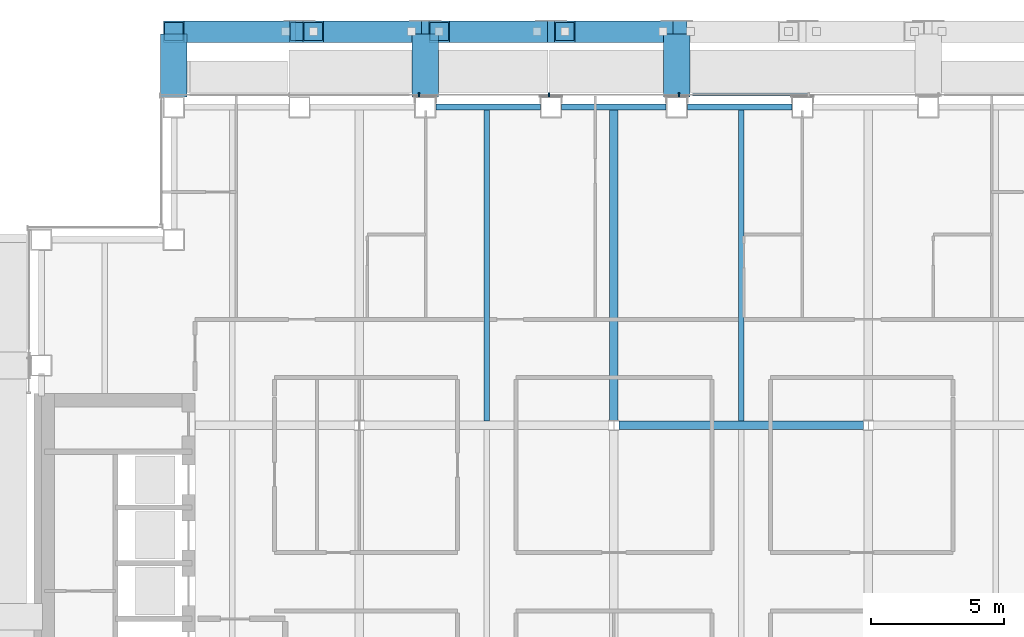
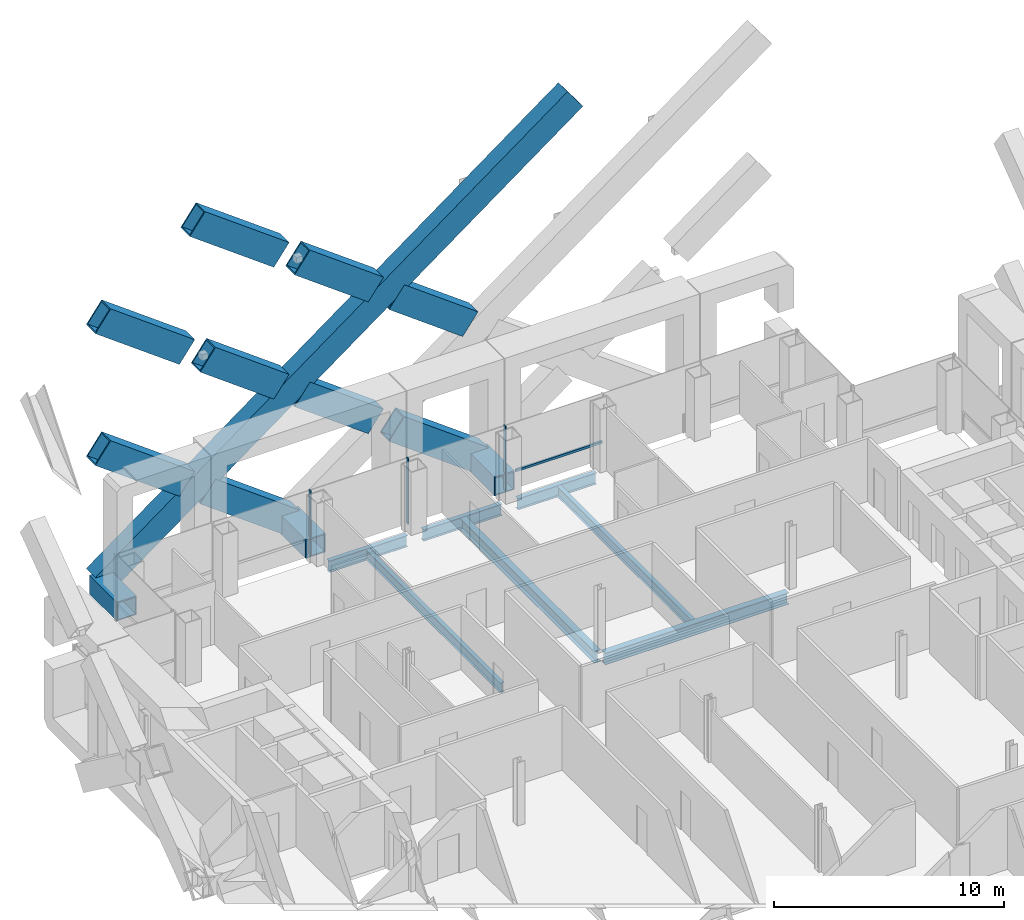
# One storey, part 9 of 25: 14 members, 10 beams, 1 element without a shape of its own.
"""IFC4 building model written with IfcOpenShell, lengths in metres."""

from ifc_helpers import new_model, si_unit, direction, frame, origin, origin_2d, place, context, subcontext, project, spatial, rectangle, hollow_rectangle, i_section, extrude, material, material_profile, profile_set, type_object, element, aggregate, save


model = new_model("IFC4")

# Units and contexts
model_context = context("Model", 3, precision=1e-05, world=origin(), true_north=direction((0.0, 1.0)))
body_context = subcontext(model_context, "Body", "Model", "MODEL_VIEW")
ifc_project = project(units=[si_unit("LENGTHUNIT", "METRE"), si_unit("AREAUNIT", "SQUARE_METRE"), si_unit("VOLUMEUNIT", "CUBIC_METRE"), si_unit("PLANEANGLEUNIT", "RADIAN"), si_unit("MASSUNIT", "GRAM", prefix="KILO")], contexts=[model_context])

# Site, building, storey
site_placement = place(None, origin())
site = spatial("IfcSite", under=ifc_project, at=site_placement, CompositionType="ELEMENT")
building_placement = place(site_placement, origin())
building = spatial("IfcBuilding", under=site, at=building_placement, Name="Cobrizo Arcos Hotel Tower", CompositionType="ELEMENT")
storey_placement = place(building_placement, frame((0.0, 0.0, 148.0)))
storey = spatial("IfcBuildingStorey", under=building, at=storey_placement, Name="L37", CompositionType="ELEMENT", Elevation=148.0)

# Beams
ifc_material_1 = material(Name="Steel ASTM A572 Grade 50", Category="steel")
ifc_material_profile_1 = material_profile(ifc_material_1, hollow_rectangle(XDim=1.0, YDim=1.0, WallThickness=0.06005859375, at=origin_2d()), Name="BOX 1000X1000X60")
ifc_profile_set_1 = profile_set([ifc_material_profile_1], Name="Steel ASTM A572 Grade 50")
beam_type_1 = type_object("IfcBeamType", Name="BOX 1000X1000X60 brace connector strut", PredefinedType="BEAM", material=ifc_profile_set_1)
for number, where, z_axis, x_axis, name in (
    (1, (2.371337890625, 21.989990234375, 0.5), (0.0, 1.0, 0.0), (-1.0, 0.0, 0.0), "Perimeter brace stub BS1, zone Z3, north face, offset +2.37 m, L37"),
    (2, (-7.1142578125, 21.989990234375, 0.5), (0.0, 1.0, 0.0), (-1.0, 0.0, 0.0), "Perimeter brace stub BS1, zone Z3, north face, offset -7.11 m, L37"),
    (3, (-16.60009765625, 21.989990234375, 0.5), (0.0, 1.0, 0.0), (-1.0, 0.0, 0.0), "Perimeter brace stub BS1, zone Z3, north face, offset -16.60 m, L37"),
):
    element("IfcBeam", number, at=place(storey_placement, frame(where, z_axis=z_axis, x_axis=x_axis)), inside=storey, type_object=beam_type_1, Name=name, PredefinedType="BEAM", context=body_context, shape_type="SweptSolid", body=[
        extrude(hollow_rectangle(XDim=1.0, YDim=1.0, WallThickness=0.06005859375, at=origin_2d()), origin(), (0.0, 0.0, 1.0), 2.380126953125),
    ])

# Members
ifc_material_profile_2 = material_profile(ifc_material_1, hollow_rectangle(XDim=0.800048828125, YDim=1.300048828125, WallThickness=0.06005859375, at=origin_2d()), Name="BOX 800X1300X60")
ifc_profile_set_2 = profile_set([ifc_material_profile_2], Name="Steel ASTM A572 Grade 50")
member_type_1 = type_object("IfcMemberType", Name="BOX 800X1300X60 perimeter brace", PredefinedType="BRACE", material=ifc_profile_set_2)
member_1_placement = place(storey_placement, frame((-16.60009765625, 24.449951171875, 0.5), z_axis=(0.804630052623, 0.0, 0.593776454918), x_axis=(0.0, 1.0, 0.0)))
element("IfcMember", 4, at=member_1_placement, inside=storey, type_object=member_type_1, Name="Perimeter brace PBR3, zone Z3, north face, no. 05", PredefinedType="BRACE", context=body_context, shape_type="SweptSolid", body=[
    extrude(hollow_rectangle(XDim=0.800048828125, YDim=1.300048828125, WallThickness=0.06005859375, at=origin_2d()), origin(), (0.0, 0.0, 1.0), 29.472412109375),
])
member_2_placement = place(storey_placement, frame((1.84814453125, 24.449951171875, 7.885986328125), z_axis=(-0.804593425363, 0.0, 0.593826085536), x_axis=(0.0, -1.0, 0.0)))
element("IfcMember", 5, at=member_2_placement, inside=storey, type_object=member_type_1, Name="Perimeter brace PBR3, zone Z3, north face, no. 00b", PredefinedType="BRACE", context=body_context, shape_type="SweptSolid", body=[
    extrude(hollow_rectangle(XDim=0.800048828125, YDim=1.300048828125, WallThickness=0.06005859375, at=origin_2d()), origin(), (0.0, 0.0, 1.0), 4.593994140625),
])
member_3_placement = place(storey_placement, frame((-2.89453125, 24.449951171875, 11.385986328125), z_axis=(-0.804612164142, 0.0, 0.593800694943), x_axis=(0.0, -1.0, 0.0)))
element("IfcMember", 6, at=member_3_placement, inside=storey, type_object=member_type_1, Name="Perimeter brace PBR3, zone Z3, north face, no. 00c", PredefinedType="BRACE", context=body_context, shape_type="SweptSolid", body=[
    extrude(hollow_rectangle(XDim=0.800048828125, YDim=1.300048828125, WallThickness=0.06005859375, at=origin_2d()), origin(), (0.0, 0.0, 1.0), 4.59423828125),
])
member_4_placement = place(storey_placement, frame((-7.637451171875, 24.449951171875, 14.885986328125), z_axis=(-0.804623858684, 0.0, 0.593784848271), x_axis=(0.0, -1.0, 0.0)))
element("IfcMember", 7, at=member_4_placement, inside=storey, type_object=member_type_1, Name="Perimeter brace PBR3, zone Z3, north face, no. 00d", PredefinedType="BRACE", context=body_context, shape_type="SweptSolid", body=[
    extrude(hollow_rectangle(XDim=0.800048828125, YDim=1.300048828125, WallThickness=0.06005859375, at=origin_2d()), origin(), (0.0, 0.0, 1.0), 5.244384765625),
])
member_5_placement = place(storey_placement, frame((2.371337890625, 24.449951171875, 0.5), z_axis=(-0.804607444048, 0.0, 0.593807090715), x_axis=(0.0, -1.0, 0.0)))
element("IfcMember", 8, at=member_5_placement, inside=storey, type_object=member_type_1, Name="Perimeter brace PBR3, zone Z3, north face, no. 02", PredefinedType="BRACE", context=body_context, shape_type="SweptSolid", body=[
    extrude(hollow_rectangle(XDim=0.800048828125, YDim=1.300048828125, WallThickness=0.06005859375, at=origin_2d()), origin(), (0.0, 0.0, 1.0), 5.244140625),
])
for number, where, z_axis, x_axis, name in (
    (9, (-2.89453125, 24.449951171875, 4.385986328125), (-0.804612164142, 0.0, 0.593800694943), (0.0, -1.0, 0.0), "Perimeter brace PBR3, zone Z3, north face, no. 02b"),
    (10, (-7.637451171875, 24.449951171875, 7.885986328125), (-0.804612164142, 0.0, 0.593800694943), (0.0, -1.0, 0.0), "Perimeter brace PBR3, zone Z3, north face, no. 02c"),
):
    element("IfcMember", number, at=place(storey_placement, frame(where, z_axis=z_axis, x_axis=x_axis)), inside=storey, type_object=member_type_1, Name=name, PredefinedType="BRACE", context=body_context, shape_type="SweptSolid", body=[
        extrude(hollow_rectangle(XDim=0.800048828125, YDim=1.300048828125, WallThickness=0.06005859375, at=origin_2d()), origin(), (0.0, 0.0, 1.0), 4.59423828125),
    ])
for number, where, z_axis, x_axis, name in (
    (11, (-12.38037109375, 24.449951171875, 11.385986328125), (-0.804623858684, 0.0, 0.593784848271), (0.0, -1.0, 0.0), "Perimeter brace PBR3, zone Z3, north face, no. 02d"),
    (12, (-7.1142578125, 24.449951171875, 0.5), (-0.804623858684, 0.0, 0.593784848271), (0.0, -1.0, 0.0), "Perimeter brace PBR3, zone Z3, north face, no. 04"),
    (13, (-12.38037109375, 24.449951171875, 4.385986328125), (-0.804623858684, 0.0, 0.593784848271), (0.0, -1.0, 0.0), "Perimeter brace PBR3, zone Z3, north face, no. 04b"),
):
    element("IfcMember", number, at=place(storey_placement, frame(where, z_axis=z_axis, x_axis=x_axis)), inside=storey, type_object=member_type_1, Name=name, PredefinedType="BRACE", context=body_context, shape_type="SweptSolid", body=[
        extrude(hollow_rectangle(XDim=0.800048828125, YDim=1.300048828125, WallThickness=0.06005859375, at=origin_2d()), origin(), (0.0, 0.0, 1.0), 5.244384765625),
    ])

# Curtain wall, members
ifc_material_2 = material(Name="Aluminium 6063-T6 anodised bronze", Category="aluminium")
curtain_wall_type = type_object("IfcCurtainWallType", Name="CW-A guest facade", PredefinedType="NOTDEFINED", material=ifc_material_2)
curtain_wall_placement = place(storey_placement, origin())
curtain_wall = element("IfcCurtainWall", 14, at=curtain_wall_placement, inside=storey, type_object=curtain_wall_type, Name="CW-A L37 N face", PredefinedType="NOTDEFINED")
ifc_material_profile_3 = material_profile(ifc_material_2, rectangle(XDim=0.14990234375, YDim=0.06005859375, at=origin_2d()), Name="CW-A mullion 150x60")
ifc_profile_set_3 = profile_set([ifc_material_profile_3], Name="Aluminium 6063-T6 anodised bronze")
member_type_2 = type_object("IfcMemberType", Name="CW-A mullion 150x60", PredefinedType="MULLION", material=ifc_profile_set_3)
member_6_placement = place(storey_placement, frame((2.449951171875, 22.074951171875, 0.0), z_axis=(0.0, 0.0, 1.0), x_axis=(0.0, 1.0, 0.0)))
member_6 = element("IfcMember", 15, at=member_6_placement, type_object=member_type_2, Name="CW-A mullion 4", PredefinedType="MULLION", context=body_context, shape_type="SweptSolid", body=[
    extrude(rectangle(XDim=0.14990234375, YDim=0.06005859375, at=origin_2d()), origin(), (0.0, 0.0, 1.0), 3.5),
])
member_7_placement = place(storey_placement, frame((-2.449951171875, 22.074951171875, 0.0), z_axis=(0.0, 0.0, 1.0), x_axis=(0.0, 1.0, 0.0)))
member_7 = element("IfcMember", 16, at=member_7_placement, type_object=member_type_2, Name="CW-A mullion 5", PredefinedType="MULLION", context=body_context, shape_type="SweptSolid", body=[
    extrude(rectangle(XDim=0.14990234375, YDim=0.06005859375, at=origin_2d()), origin(), (0.0, 0.0, 1.0), 3.5),
])
member_8_placement = place(storey_placement, frame((-7.35009765625, 22.074951171875, 0.0), z_axis=(0.0, 0.0, 1.0), x_axis=(0.0, 1.0, 0.0)))
member_8 = element("IfcMember", 17, at=member_8_placement, type_object=member_type_2, Name="CW-A mullion 6", PredefinedType="MULLION", context=body_context, shape_type="SweptSolid", body=[
    extrude(rectangle(XDim=0.14990234375, YDim=0.06005859375, at=origin_2d()), origin(), (0.0, 0.0, 1.0), 3.5),
])
ifc_material_profile_4 = material_profile(ifc_material_2, rectangle(XDim=0.10009765625, YDim=0.1201171875, at=origin_2d()), Name="CW-A transom 120x100")
ifc_profile_set_4 = profile_set([ifc_material_profile_4], Name="Aluminium 6063-T6 anodised bronze")
member_type_3 = type_object("IfcMemberType", Name="CW-A transom 120x100", PredefinedType="USERDEFINED", material=ifc_profile_set_4)
member_9_placement = place(storey_placement, frame((7.320068359375, 22.074951171875, 0.929931640625), z_axis=(-1.0, 0.0, 0.0), x_axis=(0.0, -1.0, 0.0)))
member_9 = element("IfcMember", 18, at=member_9_placement, type_object=member_type_3, Name="CW-A transom 1353", ObjectType="TRANSOM", PredefinedType="USERDEFINED", context=body_context, shape_type="SweptSolid", body=[
    extrude(rectangle(XDim=0.10009765625, YDim=0.1201171875, at=origin_2d()), origin(), (0.0, 0.0, 1.0), 4.3486328125),
])
aggregate(curtain_wall, [member_6, member_7, member_8, member_9])

# Beams
ifc_material_3 = material(Name="Steel ASTM A992 Grade 50", Category="steel")
ifc_material_profile_5 = material_profile(ifc_material_3, i_section(OverallWidth=0.209228515625, OverallDepth=0.533447265625, WebThickness=0.01025390625, FlangeThickness=0.015625, at=origin_2d()), Name="W21X62")
ifc_profile_set_5 = profile_set([ifc_material_profile_5], Name="Steel ASTM A992 Grade 50")
beam_type_2 = type_object("IfcBeamType", Name="W21X62 joist", PredefinedType="JOIST", material=ifc_profile_set_5)
for number, where, z_axis, x_axis, name in (
    (19, (-4.800048828125, 9.763916015625, -0.416748046875), (0.0, 1.0, 0.0), (-1.0, 0.0, 0.0), "Floor joist J1, L37, no. 010"),
    (20, (4.800048828125, 9.763916015625, -0.416748046875), (0.0, 1.0, 0.0), (-1.0, 0.0, 0.0), "Floor joist J1, L37, no. 014"),
):
    element("IfcBeam", number, at=place(storey_placement, frame(where, z_axis=z_axis, x_axis=x_axis)), inside=storey, type_object=beam_type_2, Name=name, PredefinedType="JOIST", context=body_context, shape_type="SweptSolid", body=[
        extrude(i_section(OverallWidth=0.209228515625, OverallDepth=0.533447265625, WebThickness=0.01025390625, FlangeThickness=0.015625, at=origin_2d()), origin(), (0.0, 0.0, 1.0), 11.74609375),
    ])
ifc_material_profile_6 = material_profile(ifc_material_3, i_section(OverallWidth=0.32763671875, OverallDepth=0.622314453125, WebThickness=0.015380859375, FlangeThickness=0.0244140625, at=origin_2d()), Name="W24X131")
ifc_profile_set_6 = profile_set([ifc_material_profile_6], Name="Steel ASTM A992 Grade 50")
beam_type_3 = type_object("IfcBeamType", Name="W24X131 girder", PredefinedType="BEAM", material=ifc_profile_set_6)
beam_1_placement = place(storey_placement, frame((0.186767578125, 9.60009765625, -0.461181640625), z_axis=(1.0, 0.0, 0.0), x_axis=(0.0, 1.0, 0.0)))
element("IfcBeam", 21, at=beam_1_placement, inside=storey, type_object=beam_type_3, Name="Floor girder G1, L37, no. 011", PredefinedType="BEAM", context=body_context, shape_type="SweptSolid", body=[
    extrude(i_section(OverallWidth=0.32763671875, OverallDepth=0.622314453125, WebThickness=0.015380859375, FlangeThickness=0.0244140625, at=origin_2d()), origin(), (0.0, 0.0, 1.0), 9.2265625),
])
beam_2_placement = place(storey_placement, frame((0.0, 9.78662109375, -0.461181640625), z_axis=(0.0, 1.0, 0.0), x_axis=(-1.0, 0.0, 0.0)))
element("IfcBeam", 22, at=beam_2_placement, inside=storey, type_object=beam_type_3, Name="Floor girder G1, L37, no. 020", PredefinedType="BEAM", context=body_context, shape_type="SweptSolid", body=[
    extrude(i_section(OverallWidth=0.32763671875, OverallDepth=0.622314453125, WebThickness=0.015380859375, FlangeThickness=0.0244140625, at=origin_2d()), origin(), (0.0, 0.0, 1.0), 11.723388671875),
])
ifc_material_profile_7 = material_profile(ifc_material_3, i_section(OverallWidth=0.228271484375, OverallDepth=0.607177734375, WebThickness=0.01123046875, FlangeThickness=0.017333984375, at=origin_2d()), Name="W24X76")
ifc_profile_set_7 = profile_set([ifc_material_profile_7], Name="Steel ASTM A992 Grade 50")
beam_type_4 = type_object("IfcBeamType", Name="W24X76 spandrel", PredefinedType="SPANDREL", material=ifc_profile_set_7)
beam_3_placement = place(storey_placement, frame((6.714111328125, 21.60009765625, -0.45361328125), z_axis=(-1.0, 0.0, 0.0), x_axis=(0.0, -1.0, 0.0)))
element("IfcBeam", 23, at=beam_3_placement, inside=storey, type_object=beam_type_4, Name="Spandrel beam W24X76, L37, no. 018", PredefinedType="SPANDREL", context=body_context, shape_type="SweptSolid", body=[
    extrude(i_section(OverallWidth=0.228271484375, OverallDepth=0.607177734375, WebThickness=0.01123046875, FlangeThickness=0.017333984375, at=origin_2d()), origin(), (0.0, 0.0, 1.0), 3.943115234375),
])
beam_4_placement = place(storey_placement, frame((1.970947265625, 21.60009765625, -0.45361328125), z_axis=(-1.0, 0.0, 0.0), x_axis=(0.0, -1.0, 0.0)))
element("IfcBeam", 24, at=beam_4_placement, inside=storey, type_object=beam_type_4, Name="Spandrel beam W24X76, L37, no. 019", PredefinedType="SPANDREL", context=body_context, shape_type="SweptSolid", body=[
    extrude(i_section(OverallWidth=0.228271484375, OverallDepth=0.607177734375, WebThickness=0.01123046875, FlangeThickness=0.017333984375, at=origin_2d()), origin(), (0.0, 0.0, 1.0), 3.94189453125),
])
beam_5_placement = place(storey_placement, frame((-2.77099609375, 21.60009765625, -0.45361328125), z_axis=(-1.0, 0.0, 0.0), x_axis=(0.0, -1.0, 0.0)))
element("IfcBeam", 25, at=beam_5_placement, inside=storey, type_object=beam_type_4, Name="Spandrel beam W24X76, L37, no. 020", PredefinedType="SPANDREL", context=body_context, shape_type="SweptSolid", body=[
    extrude(i_section(OverallWidth=0.228271484375, OverallDepth=0.607177734375, WebThickness=0.01123046875, FlangeThickness=0.017333984375, at=origin_2d()), origin(), (0.0, 0.0, 1.0), 3.943115234375),
])

save(model, "model.ifc")
